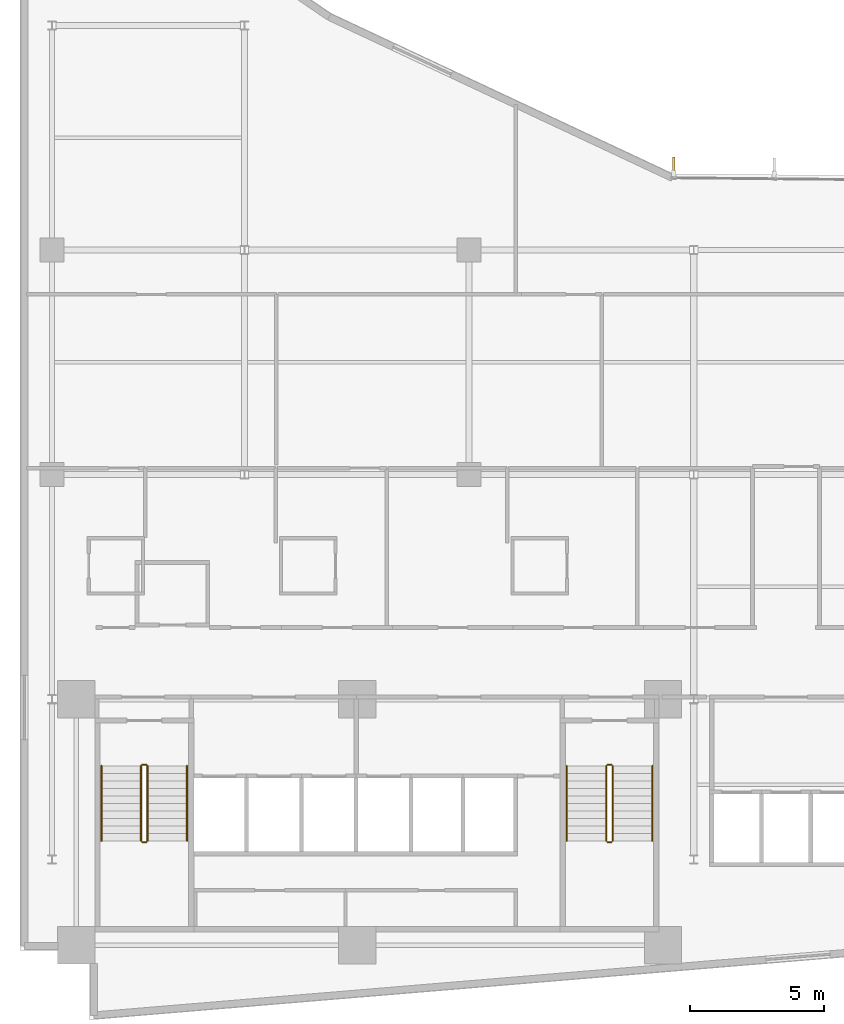
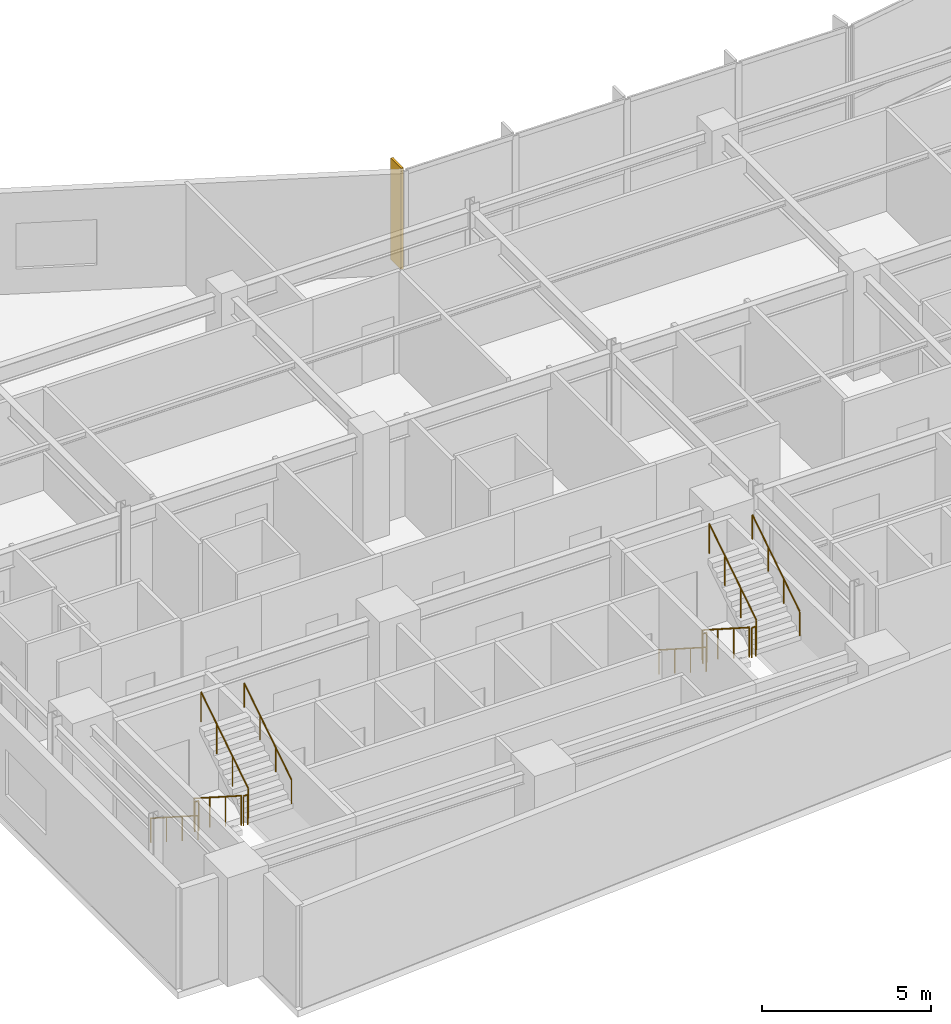
# One storey, part 15 of 19: 12 railings, 1 shading device.
"""IFC4 building model written with IfcOpenShell, lengths in metres."""

from ifc_helpers import new_model, si_unit, direction, frame, origin, origin_2d, place, context, subcontext, project, spatial, rectangle, circle, extrude, material, layer, layer_set, type_object, element, save


model = new_model("IFC4")

# Units and contexts
model_context = context("Model", 3, precision=1e-05, world=origin(), true_north=direction((0.0, 1.0)))
body_context = subcontext(model_context, "Body", "Model", "MODEL_VIEW")
ifc_project = project(units=[si_unit("LENGTHUNIT", "METRE"), si_unit("AREAUNIT", "SQUARE_METRE"), si_unit("VOLUMEUNIT", "CUBIC_METRE"), si_unit("PLANEANGLEUNIT", "RADIAN"), si_unit("MASSUNIT", "GRAM", prefix="KILO")], contexts=[model_context])

# Site, building, storey
site_placement = place(None, origin())
site = spatial("IfcSite", under=ifc_project, at=site_placement, CompositionType="ELEMENT")
building_placement = place(site_placement, origin())
building = spatial("IfcBuilding", under=site, at=building_placement, Name="Varnakote Quay Hospital", CompositionType="ELEMENT")
storey_placement = place(building_placement, frame((0.0, 0.0, 93.60009765625)))
storey = spatial("IfcBuildingStorey", under=building, at=storey_placement, Name="L23", CompositionType="ELEMENT", Elevation=93.60009765625)

# Railings
ifc_material_1 = material(Name="Brushed stainless steel balustrade", Category="steel")
railing_type_1 = type_object("IfcRailingType", Name="RLG-STAIR-GUARD-1150", PredefinedType="GUARDRAIL", material=ifc_material_1)
railing_1_placement = place(storey_placement, frame((4.530029296875, 9.5, 0.179443359375)))
element("IfcRailing", 1, at=railing_1_placement, inside=storey, type_object=railing_type_1, Name="L23 ST-01 stair guard 1", PredefinedType="GUARDRAIL", context=body_context, shape_type="SweptSolid", body=[
    extrude(circle(Radius=0.02392578125, at=origin_2d()), frame((0.0, 0.0, 1.076171875), z_axis=(0.0, -0.841809871826, 0.539774156196), x_axis=(1.0, 0.0, 0.0)), (0.0, 0.0, 1.0), 3.326171875),
    extrude(circle(Radius=0.02099609375, at=origin_2d()), origin(), (0.0, 0.0, 1.0), 1.052001953125),
    extrude(circle(Radius=0.02099609375, at=origin_2d()), frame((0.0, -0.933349609375, 0.598388671875)), (0.0, 0.0, 1.0), 1.052001953125),
    extrude(circle(Radius=0.02099609375, at=origin_2d()), frame((0.0, -1.86669921875, 1.197021484375)), (0.0, 0.0, 1.0), 1.052001953125),
    extrude(circle(Radius=0.02099609375, at=origin_2d()), frame((0.0, -2.800048828125, 1.79541015625)), (0.0, 0.0, 1.0), 1.052001953125),
])
railing_2_placement = place(storey_placement, frame((4.580078125, 6.64990234375, 1.974853515625)))
element("IfcRailing", 2, at=railing_2_placement, inside=storey, type_object=railing_type_1, Name="L23 ST-01 stair guard 2", PredefinedType="GUARDRAIL", context=body_context, shape_type="SweptSolid", body=[
    extrude(circle(Radius=0.02392578125, at=origin_2d()), frame((0.0, 0.0, 1.076171875), z_axis=(1.0, 0.0, 0.0), x_axis=(0.0, 1.0, 0.0)), (0.0, 0.0, 1.0), 0.139892578125),
    extrude(circle(Radius=0.02099609375, at=origin_2d()), origin(), (0.0, 0.0, 1.0), 1.052001953125),
    extrude(circle(Radius=0.02099609375, at=origin_2d()), frame((0.139892578125, 0.0, 0.0)), (0.0, 0.0, 1.0), 1.052001953125),
])
railing_3_placement = place(storey_placement, frame((4.77001953125, 6.699951171875, 2.154541015625)))
element("IfcRailing", 3, at=railing_3_placement, inside=storey, type_object=railing_type_1, Name="L23 ST-01 stair guard 3", PredefinedType="GUARDRAIL", context=body_context, shape_type="SweptSolid", body=[
    extrude(circle(Radius=0.02392578125, at=origin_2d()), frame((0.0, 0.0, 1.076171875), z_axis=(0.0, 0.841809871826, 0.539774156196), x_axis=(-1.0, 0.0, 0.0)), (0.0, 0.0, 1.0), 3.326171875),
    extrude(circle(Radius=0.02099609375, at=origin_2d()), origin(), (0.0, 0.0, 1.0), 1.052001953125),
    extrude(circle(Radius=0.02099609375, at=origin_2d()), frame((0.0, 0.933349609375, 0.598388671875)), (0.0, 0.0, 1.0), 1.052001953125),
    extrude(circle(Radius=0.02099609375, at=origin_2d()), frame((0.0, 1.86669921875, 1.197021484375)), (0.0, 0.0, 1.0), 1.052001953125),
    extrude(circle(Radius=0.02099609375, at=origin_2d()), frame((0.0, 2.800048828125, 1.79541015625)), (0.0, 0.0, 1.0), 1.052001953125),
])
railing_4_placement = place(storey_placement, frame((4.580078125, 9.550048828125, 0.0)))
element("IfcRailing", 4, at=railing_4_placement, inside=storey, type_object=railing_type_1, Name="L23 ST-01 stair guard 4", PredefinedType="GUARDRAIL", context=body_context, shape_type="SweptSolid", body=[
    extrude(circle(Radius=0.02392578125, at=origin_2d()), frame((0.0, 0.0, 1.076171875), z_axis=(1.0, 0.0, 0.0), x_axis=(0.0, 1.0, 0.0)), (0.0, 0.0, 1.0), 0.139892578125),
    extrude(circle(Radius=0.02099609375, at=origin_2d()), origin(), (0.0, 0.0, 1.0), 1.052001953125),
    extrude(circle(Radius=0.02099609375, at=origin_2d()), frame((0.139892578125, 0.0, 0.0)), (0.0, 0.0, 1.0), 1.052001953125),
])
railing_5_placement = place(storey_placement, frame((21.929931640625, 9.5, 0.179443359375)))
element("IfcRailing", 5, at=railing_5_placement, inside=storey, type_object=railing_type_1, Name="L23 ST-02 stair guard 1", PredefinedType="GUARDRAIL", context=body_context, shape_type="SweptSolid", body=[
    extrude(circle(Radius=0.02392578125, at=origin_2d()), frame((0.0, 0.0, 1.076171875), z_axis=(0.0, -0.841809871826, 0.539774156196), x_axis=(1.0, 0.0, 0.0)), (0.0, 0.0, 1.0), 3.326171875),
    extrude(circle(Radius=0.02099609375, at=origin_2d()), origin(), (0.0, 0.0, 1.0), 1.052001953125),
    extrude(circle(Radius=0.02099609375, at=origin_2d()), frame((0.0, -0.933349609375, 0.598388671875)), (0.0, 0.0, 1.0), 1.052001953125),
    extrude(circle(Radius=0.02099609375, at=origin_2d()), frame((0.0, -1.86669921875, 1.197021484375)), (0.0, 0.0, 1.0), 1.052001953125),
    extrude(circle(Radius=0.02099609375, at=origin_2d()), frame((0.0, -2.800048828125, 1.79541015625)), (0.0, 0.0, 1.0), 1.052001953125),
])
railing_6_placement = place(storey_placement, frame((21.97998046875, 6.64990234375, 1.974853515625)))
element("IfcRailing", 6, at=railing_6_placement, inside=storey, type_object=railing_type_1, Name="L23 ST-02 stair guard 2", PredefinedType="GUARDRAIL", context=body_context, shape_type="SweptSolid", body=[
    extrude(circle(Radius=0.02392578125, at=origin_2d()), frame((0.0, 0.0, 1.076171875), z_axis=(1.0, 0.0, 0.0), x_axis=(0.0, 1.0, 0.0)), (0.0, 0.0, 1.0), 0.14013671875),
    extrude(circle(Radius=0.02099609375, at=origin_2d()), origin(), (0.0, 0.0, 1.0), 1.052001953125),
    extrude(circle(Radius=0.02099609375, at=origin_2d()), frame((0.14013671875, 0.0, 0.0)), (0.0, 0.0, 1.0), 1.052001953125),
])
railing_7_placement = place(storey_placement, frame((22.169921875, 6.699951171875, 2.154541015625)))
element("IfcRailing", 7, at=railing_7_placement, inside=storey, type_object=railing_type_1, Name="L23 ST-02 stair guard 3", PredefinedType="GUARDRAIL", context=body_context, shape_type="SweptSolid", body=[
    extrude(circle(Radius=0.02392578125, at=origin_2d()), frame((0.0, 0.0, 1.076171875), z_axis=(0.0, 0.841809871826, 0.539774156196), x_axis=(-1.0, 0.0, 0.0)), (0.0, 0.0, 1.0), 3.326171875),
    extrude(circle(Radius=0.02099609375, at=origin_2d()), origin(), (0.0, 0.0, 1.0), 1.052001953125),
    extrude(circle(Radius=0.02099609375, at=origin_2d()), frame((0.0, 0.933349609375, 0.598388671875)), (0.0, 0.0, 1.0), 1.052001953125),
    extrude(circle(Radius=0.02099609375, at=origin_2d()), frame((0.0, 1.86669921875, 1.197021484375)), (0.0, 0.0, 1.0), 1.052001953125),
    extrude(circle(Radius=0.02099609375, at=origin_2d()), frame((0.0, 2.800048828125, 1.79541015625)), (0.0, 0.0, 1.0), 1.052001953125),
])
railing_8_placement = place(storey_placement, frame((21.97998046875, 9.550048828125, 0.0)))
element("IfcRailing", 8, at=railing_8_placement, inside=storey, type_object=railing_type_1, Name="L23 ST-02 stair guard 4", PredefinedType="GUARDRAIL", context=body_context, shape_type="SweptSolid", body=[
    extrude(circle(Radius=0.02392578125, at=origin_2d()), frame((0.0, 0.0, 1.076171875), z_axis=(1.0, 0.0, 0.0), x_axis=(0.0, 1.0, 0.0)), (0.0, 0.0, 1.0), 0.14013671875),
    extrude(circle(Radius=0.02099609375, at=origin_2d()), origin(), (0.0, 0.0, 1.0), 1.052001953125),
    extrude(circle(Radius=0.02099609375, at=origin_2d()), frame((0.14013671875, 0.0, 0.0)), (0.0, 0.0, 1.0), 1.052001953125),
])
ifc_material_2 = material(Name="Brushed stainless steel handrail", Category="steel")
railing_type_2 = type_object("IfcRailingType", Name="RLG-STAIR-HND-920", PredefinedType="HANDRAIL", material=ifc_material_2)
railing_9_placement = place(storey_placement, frame((3.050048828125, 9.5, 0.179443359375)))
element("IfcRailing", 9, at=railing_9_placement, inside=storey, type_object=railing_type_2, Name="L23 ST-01 stair handrail 1", PredefinedType="HANDRAIL", context=body_context, shape_type="SweptSolid", body=[
    extrude(circle(Radius=0.02392578125, at=origin_2d()), frame((0.0, 0.0, 0.8759765625), z_axis=(0.0, -0.841809871826, 0.539774156196), x_axis=(1.0, 0.0, 0.0)), (0.0, 0.0, 1.0), 3.326171875),
    extrude(circle(Radius=0.02099609375, at=origin_2d()), origin(), (0.0, 0.0, 1.0), 0.851806640625),
    extrude(circle(Radius=0.02099609375, at=origin_2d()), frame((0.0, -0.933349609375, 0.598388671875)), (0.0, 0.0, 1.0), 0.851806640625),
    extrude(circle(Radius=0.02099609375, at=origin_2d()), frame((0.0, -1.86669921875, 1.197021484375)), (0.0, 0.0, 1.0), 0.851806640625),
    extrude(circle(Radius=0.02099609375, at=origin_2d()), frame((0.0, -2.800048828125, 1.79541015625)), (0.0, 0.0, 1.0), 0.851806640625),
])
railing_10_placement = place(storey_placement, frame((6.25, 6.699951171875, 2.154541015625)))
element("IfcRailing", 10, at=railing_10_placement, inside=storey, type_object=railing_type_2, Name="L23 ST-01 stair handrail 2", PredefinedType="HANDRAIL", context=body_context, shape_type="SweptSolid", body=[
    extrude(circle(Radius=0.02392578125, at=origin_2d()), frame((0.0, 0.0, 0.8759765625), z_axis=(0.0, 0.841809871826, 0.539774156196), x_axis=(-1.0, 0.0, 0.0)), (0.0, 0.0, 1.0), 3.326171875),
    extrude(circle(Radius=0.02099609375, at=origin_2d()), origin(), (0.0, 0.0, 1.0), 0.851806640625),
    extrude(circle(Radius=0.02099609375, at=origin_2d()), frame((0.0, 0.933349609375, 0.598388671875)), (0.0, 0.0, 1.0), 0.851806640625),
    extrude(circle(Radius=0.02099609375, at=origin_2d()), frame((0.0, 1.86669921875, 1.197021484375)), (0.0, 0.0, 1.0), 0.851806640625),
    extrude(circle(Radius=0.02099609375, at=origin_2d()), frame((0.0, 2.800048828125, 1.79541015625)), (0.0, 0.0, 1.0), 0.851806640625),
])
railing_11_placement = place(storey_placement, frame((20.449951171875, 9.5, 0.179443359375)))
element("IfcRailing", 11, at=railing_11_placement, inside=storey, type_object=railing_type_2, Name="L23 ST-02 stair handrail 1", PredefinedType="HANDRAIL", context=body_context, shape_type="SweptSolid", body=[
    extrude(circle(Radius=0.02392578125, at=origin_2d()), frame((0.0, 0.0, 0.8759765625), z_axis=(0.0, -0.841809871826, 0.539774156196), x_axis=(1.0, 0.0, 0.0)), (0.0, 0.0, 1.0), 3.326171875),
    extrude(circle(Radius=0.02099609375, at=origin_2d()), origin(), (0.0, 0.0, 1.0), 0.851806640625),
    extrude(circle(Radius=0.02099609375, at=origin_2d()), frame((0.0, -0.933349609375, 0.598388671875)), (0.0, 0.0, 1.0), 0.851806640625),
    extrude(circle(Radius=0.02099609375, at=origin_2d()), frame((0.0, -1.86669921875, 1.197021484375)), (0.0, 0.0, 1.0), 0.851806640625),
    extrude(circle(Radius=0.02099609375, at=origin_2d()), frame((0.0, -2.800048828125, 1.79541015625)), (0.0, 0.0, 1.0), 0.851806640625),
])
railing_12_placement = place(storey_placement, frame((23.64990234375, 6.699951171875, 2.154541015625)))
element("IfcRailing", 12, at=railing_12_placement, inside=storey, type_object=railing_type_2, Name="L23 ST-02 stair handrail 2", PredefinedType="HANDRAIL", context=body_context, shape_type="SweptSolid", body=[
    extrude(circle(Radius=0.02392578125, at=origin_2d()), frame((0.0, 0.0, 0.8759765625), z_axis=(0.0, 0.841809871826, 0.539774156196), x_axis=(-1.0, 0.0, 0.0)), (0.0, 0.0, 1.0), 3.326171875),
    extrude(circle(Radius=0.02099609375, at=origin_2d()), origin(), (0.0, 0.0, 1.0), 0.851806640625),
    extrude(circle(Radius=0.02099609375, at=origin_2d()), frame((0.0, 0.933349609375, 0.598388671875)), (0.0, 0.0, 1.0), 0.851806640625),
    extrude(circle(Radius=0.02099609375, at=origin_2d()), frame((0.0, 1.86669921875, 1.197021484375)), (0.0, 0.0, 1.0), 0.851806640625),
    extrude(circle(Radius=0.02099609375, at=origin_2d()), frame((0.0, 2.800048828125, 1.79541015625)), (0.0, 0.0, 1.0), 0.851806640625),
])

# Shading device
ifc_material_3 = material(Name="Anodised aluminium 6063-T6 Bronze", Category="aluminium")
ifc_layer = layer(ifc_material_3, 0.0849609375)
ifc_layer_set = layer_set([ifc_layer], Name="Anodised aluminium 6063-T6 Bronze")
shading_device_type = type_object("IfcShadingDeviceType", Name="SHD-BRONZE-FIN-620", PredefinedType="USERDEFINED", material=ifc_layer_set)
shading_device_placement = place(storey_placement, frame((24.44970703125, 31.9619140625, 0.0), z_axis=(0.0, 0.0, 1.0), x_axis=(-0.009773688199, -0.999952236369, 0.0)))
element("IfcShadingDevice", 13, at=shading_device_placement, inside=storey, type_object=shading_device_type, Name="L23 Anodised Bronze Vertical Shading FIN", ObjectType="FIN", PredefinedType="USERDEFINED", context=body_context, shape_type="SweptSolid", body=[
    extrude(rectangle(XDim=0.6201171875, YDim=0.0849609375, at=origin_2d()), origin(), (0.0, 0.0, 1.0), 3.669921875),
])

save(model, "model.ifc")
